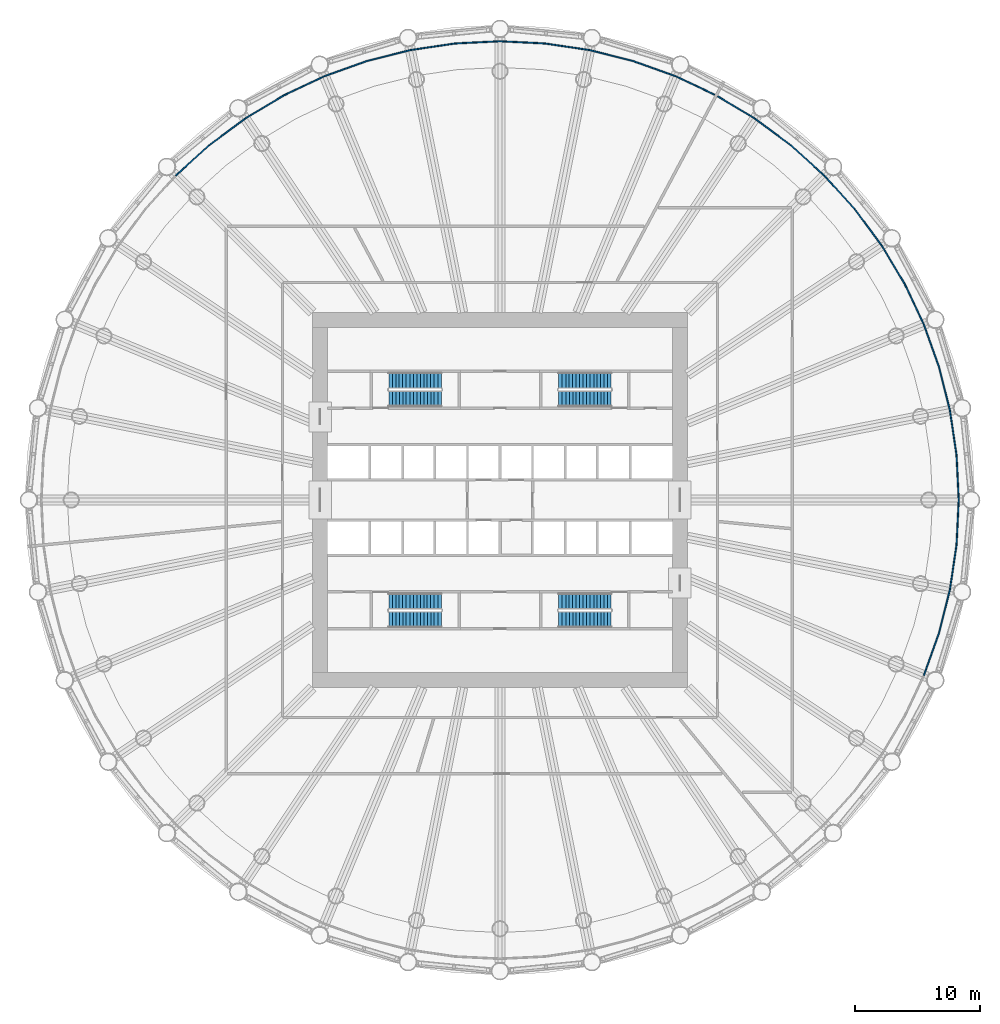
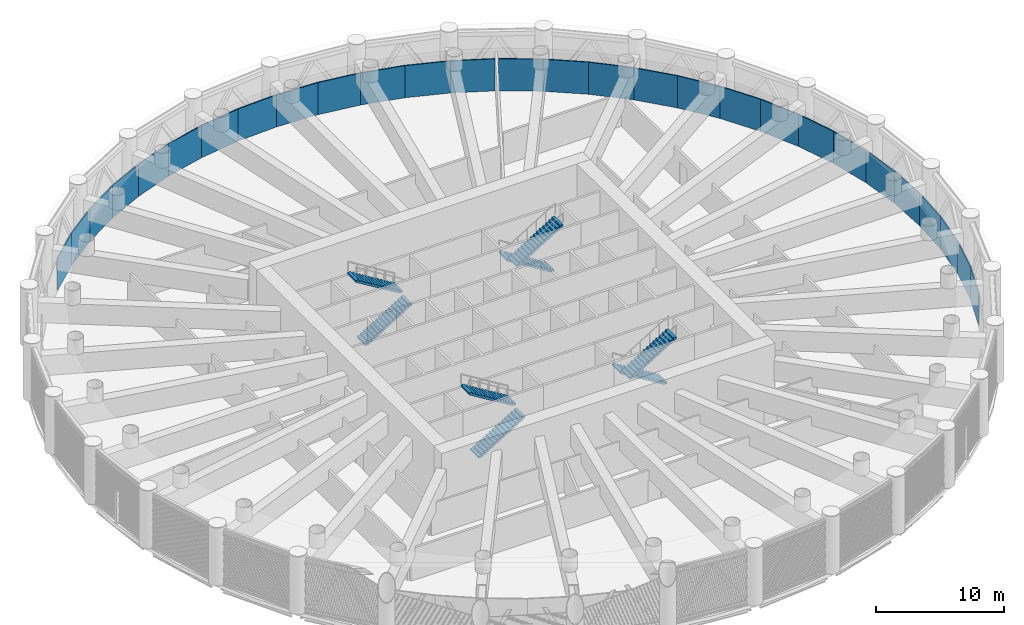
# One storey, part 11 of 26: 28 walls, 8 stair flights, 4 elements without a shape of their own.
"""IFC4 building model written with IfcOpenShell, lengths in metres."""

from ifc_helpers import new_model, si_unit, direction, frame, frame_2d, origin, place, context, subcontext, project, spatial, polyline, rectangle, outline, extrude, material, layer, layer_set, type_object, element, aggregate, save


model = new_model("IFC4")

# Units and contexts
model_context = context("Model", 3, precision=1e-05, world=origin(), true_north=direction((0.0, 1.0)))
body_context = subcontext(model_context, "Body", "Model", "MODEL_VIEW")
ifc_project = project(units=[si_unit("LENGTHUNIT", "METRE"), si_unit("AREAUNIT", "SQUARE_METRE"), si_unit("VOLUMEUNIT", "CUBIC_METRE"), si_unit("PLANEANGLEUNIT", "RADIAN"), si_unit("MASSUNIT", "GRAM", prefix="KILO")], contexts=[model_context])

# Site, building, storey
site_placement = place(None, origin())
site = spatial("IfcSite", under=ifc_project, at=site_placement, CompositionType="ELEMENT")
building_placement = place(site_placement, origin())
building = spatial("IfcBuilding", under=site, at=building_placement, Name="Corvane Civic Tower", CompositionType="ELEMENT")
storey_placement = place(building_placement, frame((0.0, 0.0, 85.0)))
storey = spatial("IfcBuildingStorey", under=building, at=storey_placement, Name="L19", CompositionType="ELEMENT", Elevation=85.0)

# Walls
ifc_material_1 = material(Name="Plasterboard")
ifc_layer = layer(ifc_material_1, 0.10009765625)
ifc_layer_set = layer_set([ifc_layer], Name="Plasterboard")
wall_type = type_object("IfcWallType", Name="Partition 100 plasterboard on studs", PredefinedType="PARTITIONING", material=ifc_layer_set)
for number, where, z_axis, x_axis, name in (
    (1, (36.52197265625, 3.59716796875, 0.0), (0.0, 0.0, 1.0), (0.049078832183, -0.998794907992, 0.0), "Partition L19.019"),
    (2, (35.99365234375, 7.15966796875, 0.0), (0.0, 0.0, 1.0), (0.14669606709, -0.989181613204, 0.0), "Partition L19.020"),
):
    element("IfcWall", number, at=place(storey_placement, frame(where, z_axis=z_axis, x_axis=x_axis)), inside=storey, type_object=wall_type, Name=name, PredefinedType="PARTITIONING", context=body_context, shape_type="SweptSolid", body=[
        extrude(rectangle(XDim=3.6015625, YDim=0.10009765625, at=frame_2d((1.80078125, 0.0))), origin(), (0.0, 0.0, 1.0), 3.050048828125),
    ])
for number, where, z_axis, x_axis, name in (
    (3, (35.118408203125, 10.653076171875, 0.0), (0.0, 0.0, 1.0), (0.243030067704, -0.970018755588, 0.0), "Partition L19.023"),
    (4, (33.9052734375, 14.0439453125, 0.0), (0.0, 0.0, 1.0), (0.336855978405, -0.94155618516, 0.0), "Partition L19.025"),
    (5, (32.365478515625, 17.299560546875, 0.0), (0.0, 0.0, 1.0), (0.427555908533, -0.903988907608, 0.0), "Partition L19.027"),
):
    element("IfcWall", number, at=place(storey_placement, frame(where, z_axis=z_axis, x_axis=x_axis)), inside=storey, type_object=wall_type, Name=name, PredefinedType="PARTITIONING", context=body_context, shape_type="SweptSolid", body=[
        extrude(rectangle(XDim=3.601318359375, YDim=0.10009765625, at=frame_2d((1.80078125, 0.0))), origin(), (0.0, 0.0, 1.0), 3.050048828125),
    ])
for number, where, z_axis, x_axis, name in (
    (6, (30.513916015625, 20.388671875, 0.0), (0.0, 0.0, 1.0), (0.514106916367, -0.857726109282, 0.0), "Partition L19.029"),
    (7, (28.368408203125, 23.281494140625, 0.0), (0.0, 0.0, 1.0), (0.595707293286, -0.803201606526, 0.0), "Partition L19.031"),
):
    element("IfcWall", number, at=place(storey_placement, frame(where, z_axis=z_axis, x_axis=x_axis)), inside=storey, type_object=wall_type, Name=name, PredefinedType="PARTITIONING", context=body_context, shape_type="SweptSolid", body=[
        extrude(rectangle(XDim=3.6015625, YDim=0.10009765625, at=frame_2d((1.80078125, 0.0))), origin(), (0.0, 0.0, 1.0), 3.050048828125),
    ])
for number, where, z_axis, x_axis, name in (
    (8, (25.949951171875, 25.949951171875, 0.0), (0.0, 0.0, 1.0), (0.671545014359, -0.740963760038, 0.0), "Partition L19.033"),
    (9, (23.281494140625, 28.368408203125, 0.0), (0.0, 0.0, 1.0), (0.740963760038, -0.671545014359, 0.0), "Partition L19.035"),
):
    element("IfcWall", number, at=place(storey_placement, frame(where, z_axis=z_axis, x_axis=x_axis)), inside=storey, type_object=wall_type, Name=name, PredefinedType="PARTITIONING", context=body_context, shape_type="SweptSolid", body=[
        extrude(rectangle(XDim=3.601318359375, YDim=0.10009765625, at=frame_2d((1.80078125, 0.0))), origin(), (0.0, 0.0, 1.0), 3.050048828125),
    ])
wall_placement = place(storey_placement, frame((20.388671875, 30.513916015625, 0.0), z_axis=(0.0, 0.0, 1.0), x_axis=(0.803201606526, -0.595707293286, 0.0)))
element("IfcWall", 10, at=wall_placement, inside=storey, type_object=wall_type, Name="Partition L19.037", PredefinedType="PARTITIONING", context=body_context, shape_type="SweptSolid", body=[
    extrude(rectangle(XDim=3.6015625, YDim=0.10009765625, at=frame_2d((1.80078125, 0.0))), origin(), (0.0, 0.0, 1.0), 3.050048828125),
])
for number, where, z_axis, x_axis, name in (
    (11, (17.419921875, 32.293212890625, 0.0), (0.0, 0.0, 1.0), (0.857741782884, -0.514080765926, 0.0), "Partition L19.039"),
    (12, (14.0439453125, 33.9052734375, 0.0), (0.0, 0.0, 1.0), (0.903976113302, -0.427582958711, 0.0), "Partition L19.040"),
):
    element("IfcWall", number, at=place(storey_placement, frame(where, z_axis=z_axis, x_axis=x_axis)), inside=storey, type_object=wall_type, Name=name, PredefinedType="PARTITIONING", context=body_context, shape_type="SweptSolid", body=[
        extrude(rectangle(XDim=3.461181640625, YDim=0.10009765625, at=frame_2d((1.73046875, 0.0))), origin(), (0.0, 0.0, 1.0), 3.050048828125),
    ])
for number, where, z_axis, x_axis, name in (
    (13, (10.653076171875, 35.118408203125, 0.0), (0.0, 0.0, 1.0), (0.94155618516, -0.336855978405, 0.0), "Partition L19.043"),
    (14, (7.15966796875, 35.99365234375, 0.0), (0.0, 0.0, 1.0), (0.970018755588, -0.243030067704, 0.0), "Partition L19.045"),
):
    element("IfcWall", number, at=place(storey_placement, frame(where, z_axis=z_axis, x_axis=x_axis)), inside=storey, type_object=wall_type, Name=name, PredefinedType="PARTITIONING", context=body_context, shape_type="SweptSolid", body=[
        extrude(rectangle(XDim=3.601318359375, YDim=0.10009765625, at=frame_2d((1.80078125, 0.0))), origin(), (0.0, 0.0, 1.0), 3.050048828125),
    ])
for number, where, z_axis, x_axis, name in (
    (15, (3.59716796875, 36.52197265625, 0.0), (0.0, 0.0, 1.0), (0.989181613204, -0.14669606709, 0.0), "Partition L19.047"),
    (16, (0.0, 36.69873046875, 0.0), (0.0, 0.0, 1.0), (0.998794907992, -0.049078832183, 0.0), "Partition L19.049"),
    (17, (-3.59716796875, 36.52197265625, 0.0), (0.0, 0.0, 1.0), (0.998794907992, 0.049078832183, 0.0), "Partition L19.051"),
    (18, (-7.15966796875, 35.99365234375, 0.0), (0.0, 0.0, 1.0), (0.989181613204, 0.14669606709, 0.0), "Partition L19.053"),
):
    element("IfcWall", number, at=place(storey_placement, frame(where, z_axis=z_axis, x_axis=x_axis)), inside=storey, type_object=wall_type, Name=name, PredefinedType="PARTITIONING", context=body_context, shape_type="SweptSolid", body=[
        extrude(rectangle(XDim=3.6015625, YDim=0.10009765625, at=frame_2d((1.80078125, 0.0))), origin(), (0.0, 0.0, 1.0), 3.050048828125),
    ])
for number, where, z_axis, x_axis, name in (
    (19, (-10.653076171875, 35.118408203125, 0.0), (0.0, 0.0, 1.0), (0.970018755588, 0.243030067704, 0.0), "Partition L19.055"),
    (20, (-14.0439453125, 33.9052734375, 0.0), (0.0, 0.0, 1.0), (0.94155618516, 0.336855978405, 0.0), "Partition L19.057"),
    (21, (-17.299560546875, 32.365478515625, 0.0), (0.0, 0.0, 1.0), (0.903988907608, 0.427555908533, 0.0), "Partition L19.059"),
):
    element("IfcWall", number, at=place(storey_placement, frame(where, z_axis=z_axis, x_axis=x_axis)), inside=storey, type_object=wall_type, Name=name, PredefinedType="PARTITIONING", context=body_context, shape_type="SweptSolid", body=[
        extrude(rectangle(XDim=3.601318359375, YDim=0.10009765625, at=frame_2d((1.80078125, 0.0))), origin(), (0.0, 0.0, 1.0), 3.050048828125),
    ])
for number, where, z_axis, x_axis, name in (
    (22, (-20.388671875, 30.513916015625, 0.0), (0.0, 0.0, 1.0), (0.857726109282, 0.514106916367, 0.0), "Partition L19.061"),
    (23, (-23.281494140625, 28.368408203125, 0.0), (0.0, 0.0, 1.0), (0.803201606526, 0.595707293286, 0.0), "Partition L19.063"),
):
    element("IfcWall", number, at=place(storey_placement, frame(where, z_axis=z_axis, x_axis=x_axis)), inside=storey, type_object=wall_type, Name=name, PredefinedType="PARTITIONING", context=body_context, shape_type="SweptSolid", body=[
        extrude(rectangle(XDim=3.6015625, YDim=0.10009765625, at=frame_2d((1.80078125, 0.0))), origin(), (0.0, 0.0, 1.0), 3.050048828125),
    ])
for number, where, z_axis, x_axis, name in (
    (24, (-25.949951171875, 25.949951171875, 0.0), (0.0, 0.0, 1.0), (0.740963760038, 0.671545014359, 0.0), "Partition L19.065"),
    (25, (33.9052734375, -14.0439453125, 0.0), (0.0, 0.0, 1.0), (0.336855978405, 0.94155618516, 0.0), "Partition L19.074"),
    (26, (35.118408203125, -10.653076171875, 0.0), (0.0, 0.0, 1.0), (0.243030067704, 0.970018755588, 0.0), "Partition L19.076"),
):
    element("IfcWall", number, at=place(storey_placement, frame(where, z_axis=z_axis, x_axis=x_axis)), inside=storey, type_object=wall_type, Name=name, PredefinedType="PARTITIONING", context=body_context, shape_type="SweptSolid", body=[
        extrude(rectangle(XDim=3.601318359375, YDim=0.10009765625, at=frame_2d((1.80078125, 0.0))), origin(), (0.0, 0.0, 1.0), 3.050048828125),
    ])
for number, where, z_axis, x_axis, name in (
    (27, (35.99365234375, -7.15966796875, 0.0), (0.0, 0.0, 1.0), (0.14669606709, 0.989181613204, 0.0), "Partition L19.078"),
    (28, (36.52197265625, -3.59716796875, 0.0), (0.0, 0.0, 1.0), (0.049078832183, 0.998794907992, 0.0), "Partition L19.080"),
):
    element("IfcWall", number, at=place(storey_placement, frame(where, z_axis=z_axis, x_axis=x_axis)), inside=storey, type_object=wall_type, Name=name, PredefinedType="PARTITIONING", context=body_context, shape_type="SweptSolid", body=[
        extrude(rectangle(XDim=3.6015625, YDim=0.10009765625, at=frame_2d((1.80078125, 0.0))), origin(), (0.0, 0.0, 1.0), 3.050048828125),
    ])

# Stair, stair flights
ifc_material_2 = material(Name="Concrete C40/50", Category="concrete")
stair_type = type_object("IfcStairType", Name="ST-STAIR-HALFTURN", PredefinedType="HALF_TURN_STAIR", material=ifc_material_2)
stair_1_placement = place(storey_placement, origin())
stair_1 = element("IfcStair", 29, at=stair_1_placement, inside=storey, type_object=stair_type, Name="L19 Exit stair ST1", PredefinedType="HALF_TURN_STAIR")
ifc_material_3 = material(Name="Concrete C40/50", Category="concrete")
stair_flight_type = type_object("IfcStairFlightType", Name="ST-FLIGHT-RC", PredefinedType="STRAIGHT", material=ifc_material_3)
stair_flight_1_placement = place(storey_placement, frame((8.89990234375, 9.550048828125, 0.0), z_axis=(0.0, 0.0, 1.0), x_axis=(-1.0, 0.0, 0.0)))
stair_flight_1 = element("IfcStairFlight", 30, at=stair_flight_1_placement, type_object=stair_flight_type, Name="ST1 flight 1", NumberOfRisers=16, NumberOfTreads=15, PredefinedType="STRAIGHT", RiserHeight=0.171875, TreadLength=0.28, context=body_context, shape_type="SweptSolid", body=[
    extrude(outline(polyline([(0.0, 0.0), (0.0, 0.171875), (0.280029296875, 0.171875), (0.280029296875, 0.34375), (0.56005859375, 0.34375), (0.56005859375, 0.515625), (0.840087890625, 0.515625), (0.840087890625, 0.6875), (1.1201171875, 0.6875), (1.1201171875, 0.859375), (1.39990234375, 0.859375), (1.39990234375, 1.03125), (1.679931640625, 1.03125), (1.679931640625, 1.203125), (1.9599609375, 1.203125), (1.9599609375, 1.375), (2.239990234375, 1.375), (2.239990234375, 1.546875), (2.52001953125, 1.546875), (2.52001953125, 1.71875), (2.800048828125, 1.71875), (2.800048828125, 1.890625), (3.080078125, 1.890625), (3.080078125, 2.0625), (3.360107421875, 2.0625), (3.360107421875, 2.234375), (3.639892578125, 2.234375), (3.639892578125, 2.40625), (3.919921875, 2.40625), (3.919921875, 2.578125), (4.199951171875, 2.578125), (4.199951171875, 2.75), (4.199951171875, 2.40234375), (0.28662109375, 0.0), (0.0, 0.0)])), frame((0.0, 0.64990234375, 0.0), z_axis=(0.0, -1.0, 0.0), x_axis=(1.0, 0.0, 0.0)), (0.0, 0.0, 1.0), 1.300048828125),
])
stair_flight_2_placement = place(storey_placement, frame((4.699951171875, 8.10009765625, 2.75), z_axis=(0.0, 0.0, 1.0), x_axis=(1.0, 0.0, 0.0)))
stair_flight_2 = element("IfcStairFlight", 31, at=stair_flight_2_placement, type_object=stair_flight_type, Name="ST1 flight 2", NumberOfRisers=16, NumberOfTreads=15, PredefinedType="STRAIGHT", RiserHeight=0.171875, TreadLength=0.28, context=body_context, shape_type="SweptSolid", body=[
    extrude(outline(polyline([(0.0, 0.0), (0.0, 0.171875), (0.280029296875, 0.171875), (0.280029296875, 0.34375), (0.56005859375, 0.34375), (0.56005859375, 0.515625), (0.840087890625, 0.515625), (0.840087890625, 0.6875), (1.1201171875, 0.6875), (1.1201171875, 0.859375), (1.39990234375, 0.859375), (1.39990234375, 1.03125), (1.679931640625, 1.03125), (1.679931640625, 1.203125), (1.9599609375, 1.203125), (1.9599609375, 1.375), (2.239990234375, 1.375), (2.239990234375, 1.546875), (2.52001953125, 1.546875), (2.52001953125, 1.71875), (2.800048828125, 1.71875), (2.800048828125, 1.890625), (3.080078125, 1.890625), (3.080078125, 2.0625), (3.360107421875, 2.0625), (3.360107421875, 2.234375), (3.639892578125, 2.234375), (3.639892578125, 2.40625), (3.919921875, 2.40625), (3.919921875, 2.578125), (4.199951171875, 2.578125), (4.199951171875, 2.75), (4.199951171875, 2.40234375), (0.28662109375, 0.0), (0.0, 0.0)])), frame((0.0, 0.64990234375, 0.0), z_axis=(0.0, -1.0, 0.0), x_axis=(1.0, 0.0, 0.0)), (0.0, 0.0, 1.0), 1.300048828125),
])
aggregate(stair_1, [stair_flight_1, stair_flight_2])

stair_2_placement = place(storey_placement, origin())
stair_2 = element("IfcStair", 32, at=stair_2_placement, inside=storey, type_object=stair_type, Name="L19 Exit stair ST2", PredefinedType="HALF_TURN_STAIR")
stair_flight_3_placement = place(storey_placement, frame((8.89990234375, -8.10009765625, 0.0), z_axis=(0.0, 0.0, 1.0), x_axis=(-1.0, 0.0, 0.0)))
stair_flight_3 = element("IfcStairFlight", 33, at=stair_flight_3_placement, type_object=stair_flight_type, Name="ST2 flight 1", NumberOfRisers=16, NumberOfTreads=15, PredefinedType="STRAIGHT", RiserHeight=0.171875, TreadLength=0.28, context=body_context, shape_type="SweptSolid", body=[
    extrude(outline(polyline([(0.0, 0.0), (0.0, 0.171875), (0.280029296875, 0.171875), (0.280029296875, 0.34375), (0.56005859375, 0.34375), (0.56005859375, 0.515625), (0.840087890625, 0.515625), (0.840087890625, 0.6875), (1.1201171875, 0.6875), (1.1201171875, 0.859375), (1.39990234375, 0.859375), (1.39990234375, 1.03125), (1.679931640625, 1.03125), (1.679931640625, 1.203125), (1.9599609375, 1.203125), (1.9599609375, 1.375), (2.239990234375, 1.375), (2.239990234375, 1.546875), (2.52001953125, 1.546875), (2.52001953125, 1.71875), (2.800048828125, 1.71875), (2.800048828125, 1.890625), (3.080078125, 1.890625), (3.080078125, 2.0625), (3.360107421875, 2.0625), (3.360107421875, 2.234375), (3.639892578125, 2.234375), (3.639892578125, 2.40625), (3.919921875, 2.40625), (3.919921875, 2.578125), (4.199951171875, 2.578125), (4.199951171875, 2.75), (4.199951171875, 2.40234375), (0.28662109375, 0.0), (0.0, 0.0)])), frame((0.0, 0.64990234375, 0.0), z_axis=(0.0, -1.0, 0.0), x_axis=(1.0, 0.0, 0.0)), (0.0, 0.0, 1.0), 1.300048828125),
])
stair_flight_4_placement = place(storey_placement, frame((4.699951171875, -9.550048828125, 2.75), z_axis=(0.0, 0.0, 1.0), x_axis=(1.0, 0.0, 0.0)))
stair_flight_4 = element("IfcStairFlight", 34, at=stair_flight_4_placement, type_object=stair_flight_type, Name="ST2 flight 2", NumberOfRisers=16, NumberOfTreads=15, PredefinedType="STRAIGHT", RiserHeight=0.171875, TreadLength=0.28, context=body_context, shape_type="SweptSolid", body=[
    extrude(outline(polyline([(0.0, 0.0), (0.0, 0.171875), (0.280029296875, 0.171875), (0.280029296875, 0.34375), (0.56005859375, 0.34375), (0.56005859375, 0.515625), (0.840087890625, 0.515625), (0.840087890625, 0.6875), (1.1201171875, 0.6875), (1.1201171875, 0.859375), (1.39990234375, 0.859375), (1.39990234375, 1.03125), (1.679931640625, 1.03125), (1.679931640625, 1.203125), (1.9599609375, 1.203125), (1.9599609375, 1.375), (2.239990234375, 1.375), (2.239990234375, 1.546875), (2.52001953125, 1.546875), (2.52001953125, 1.71875), (2.800048828125, 1.71875), (2.800048828125, 1.890625), (3.080078125, 1.890625), (3.080078125, 2.0625), (3.360107421875, 2.0625), (3.360107421875, 2.234375), (3.639892578125, 2.234375), (3.639892578125, 2.40625), (3.919921875, 2.40625), (3.919921875, 2.578125), (4.199951171875, 2.578125), (4.199951171875, 2.75), (4.199951171875, 2.40234375), (0.28662109375, 0.0), (0.0, 0.0)])), frame((0.0, 0.64990234375, 0.0), z_axis=(0.0, -1.0, 0.0), x_axis=(1.0, 0.0, 0.0)), (0.0, 0.0, 1.0), 1.300048828125),
])
aggregate(stair_2, [stair_flight_3, stair_flight_4])

stair_3_placement = place(storey_placement, origin())
stair_3 = element("IfcStair", 35, at=stair_3_placement, inside=storey, type_object=stair_type, Name="L19 Exit stair ST3", PredefinedType="HALF_TURN_STAIR")
stair_flight_5_placement = place(storey_placement, frame((-8.89990234375, -9.550048828125, 0.0), z_axis=(0.0, 0.0, 1.0), x_axis=(1.0, 0.0, 0.0)))
stair_flight_5 = element("IfcStairFlight", 36, at=stair_flight_5_placement, type_object=stair_flight_type, Name="ST3 flight 1", NumberOfRisers=16, NumberOfTreads=15, PredefinedType="STRAIGHT", RiserHeight=0.171875, TreadLength=0.28, context=body_context, shape_type="SweptSolid", body=[
    extrude(outline(polyline([(0.0, 0.0), (0.0, 0.171875), (0.280029296875, 0.171875), (0.280029296875, 0.34375), (0.56005859375, 0.34375), (0.56005859375, 0.515625), (0.840087890625, 0.515625), (0.840087890625, 0.6875), (1.1201171875, 0.6875), (1.1201171875, 0.859375), (1.39990234375, 0.859375), (1.39990234375, 1.03125), (1.679931640625, 1.03125), (1.679931640625, 1.203125), (1.9599609375, 1.203125), (1.9599609375, 1.375), (2.239990234375, 1.375), (2.239990234375, 1.546875), (2.52001953125, 1.546875), (2.52001953125, 1.71875), (2.800048828125, 1.71875), (2.800048828125, 1.890625), (3.080078125, 1.890625), (3.080078125, 2.0625), (3.360107421875, 2.0625), (3.360107421875, 2.234375), (3.639892578125, 2.234375), (3.639892578125, 2.40625), (3.919921875, 2.40625), (3.919921875, 2.578125), (4.199951171875, 2.578125), (4.199951171875, 2.75), (4.199951171875, 2.40234375), (0.28662109375, 0.0), (0.0, 0.0)])), frame((0.0, 0.64990234375, 0.0), z_axis=(0.0, -1.0, 0.0), x_axis=(1.0, 0.0, 0.0)), (0.0, 0.0, 1.0), 1.300048828125),
])
stair_flight_6_placement = place(storey_placement, frame((-4.699951171875, -8.10009765625, 2.75), z_axis=(0.0, 0.0, 1.0), x_axis=(-1.0, 0.0, 0.0)))
stair_flight_6 = element("IfcStairFlight", 37, at=stair_flight_6_placement, type_object=stair_flight_type, Name="ST3 flight 2", NumberOfRisers=16, NumberOfTreads=15, PredefinedType="STRAIGHT", RiserHeight=0.171875, TreadLength=0.28, context=body_context, shape_type="SweptSolid", body=[
    extrude(outline(polyline([(0.0, 0.0), (0.0, 0.171875), (0.280029296875, 0.171875), (0.280029296875, 0.34375), (0.56005859375, 0.34375), (0.56005859375, 0.515625), (0.840087890625, 0.515625), (0.840087890625, 0.6875), (1.1201171875, 0.6875), (1.1201171875, 0.859375), (1.39990234375, 0.859375), (1.39990234375, 1.03125), (1.679931640625, 1.03125), (1.679931640625, 1.203125), (1.9599609375, 1.203125), (1.9599609375, 1.375), (2.239990234375, 1.375), (2.239990234375, 1.546875), (2.52001953125, 1.546875), (2.52001953125, 1.71875), (2.800048828125, 1.71875), (2.800048828125, 1.890625), (3.080078125, 1.890625), (3.080078125, 2.0625), (3.360107421875, 2.0625), (3.360107421875, 2.234375), (3.639892578125, 2.234375), (3.639892578125, 2.40625), (3.919921875, 2.40625), (3.919921875, 2.578125), (4.199951171875, 2.578125), (4.199951171875, 2.75), (4.199951171875, 2.40234375), (0.28662109375, 0.0), (0.0, 0.0)])), frame((0.0, 0.64990234375, 0.0), z_axis=(0.0, -1.0, 0.0), x_axis=(1.0, 0.0, 0.0)), (0.0, 0.0, 1.0), 1.300048828125),
])
aggregate(stair_3, [stair_flight_5, stair_flight_6])

stair_4_placement = place(storey_placement, origin())
stair_4 = element("IfcStair", 38, at=stair_4_placement, inside=storey, type_object=stair_type, Name="L19 Exit stair ST4", PredefinedType="HALF_TURN_STAIR")
stair_flight_7_placement = place(storey_placement, frame((-8.89990234375, 8.10009765625, 0.0), z_axis=(0.0, 0.0, 1.0), x_axis=(1.0, 0.0, 0.0)))
stair_flight_7 = element("IfcStairFlight", 39, at=stair_flight_7_placement, type_object=stair_flight_type, Name="ST4 flight 1", NumberOfRisers=16, NumberOfTreads=15, PredefinedType="STRAIGHT", RiserHeight=0.171875, TreadLength=0.28, context=body_context, shape_type="SweptSolid", body=[
    extrude(outline(polyline([(0.0, 0.0), (0.0, 0.171875), (0.280029296875, 0.171875), (0.280029296875, 0.34375), (0.56005859375, 0.34375), (0.56005859375, 0.515625), (0.840087890625, 0.515625), (0.840087890625, 0.6875), (1.1201171875, 0.6875), (1.1201171875, 0.859375), (1.39990234375, 0.859375), (1.39990234375, 1.03125), (1.679931640625, 1.03125), (1.679931640625, 1.203125), (1.9599609375, 1.203125), (1.9599609375, 1.375), (2.239990234375, 1.375), (2.239990234375, 1.546875), (2.52001953125, 1.546875), (2.52001953125, 1.71875), (2.800048828125, 1.71875), (2.800048828125, 1.890625), (3.080078125, 1.890625), (3.080078125, 2.0625), (3.360107421875, 2.0625), (3.360107421875, 2.234375), (3.639892578125, 2.234375), (3.639892578125, 2.40625), (3.919921875, 2.40625), (3.919921875, 2.578125), (4.199951171875, 2.578125), (4.199951171875, 2.75), (4.199951171875, 2.40234375), (0.28662109375, 0.0), (0.0, 0.0)])), frame((0.0, 0.64990234375, 0.0), z_axis=(0.0, -1.0, 0.0), x_axis=(1.0, 0.0, 0.0)), (0.0, 0.0, 1.0), 1.300048828125),
])
stair_flight_8_placement = place(storey_placement, frame((-4.699951171875, 9.550048828125, 2.75), z_axis=(0.0, 0.0, 1.0), x_axis=(-1.0, 0.0, 0.0)))
stair_flight_8 = element("IfcStairFlight", 40, at=stair_flight_8_placement, type_object=stair_flight_type, Name="ST4 flight 2", NumberOfRisers=16, NumberOfTreads=15, PredefinedType="STRAIGHT", RiserHeight=0.171875, TreadLength=0.28, context=body_context, shape_type="SweptSolid", body=[
    extrude(outline(polyline([(0.0, 0.0), (0.0, 0.171875), (0.280029296875, 0.171875), (0.280029296875, 0.34375), (0.56005859375, 0.34375), (0.56005859375, 0.515625), (0.840087890625, 0.515625), (0.840087890625, 0.6875), (1.1201171875, 0.6875), (1.1201171875, 0.859375), (1.39990234375, 0.859375), (1.39990234375, 1.03125), (1.679931640625, 1.03125), (1.679931640625, 1.203125), (1.9599609375, 1.203125), (1.9599609375, 1.375), (2.239990234375, 1.375), (2.239990234375, 1.546875), (2.52001953125, 1.546875), (2.52001953125, 1.71875), (2.800048828125, 1.71875), (2.800048828125, 1.890625), (3.080078125, 1.890625), (3.080078125, 2.0625), (3.360107421875, 2.0625), (3.360107421875, 2.234375), (3.639892578125, 2.234375), (3.639892578125, 2.40625), (3.919921875, 2.40625), (3.919921875, 2.578125), (4.199951171875, 2.578125), (4.199951171875, 2.75), (4.199951171875, 2.40234375), (0.28662109375, 0.0), (0.0, 0.0)])), frame((0.0, 0.64990234375, 0.0), z_axis=(0.0, -1.0, 0.0), x_axis=(1.0, 0.0, 0.0)), (0.0, 0.0, 1.0), 1.300048828125),
])
aggregate(stair_4, [stair_flight_7, stair_flight_8])

save(model, "model.ifc")
